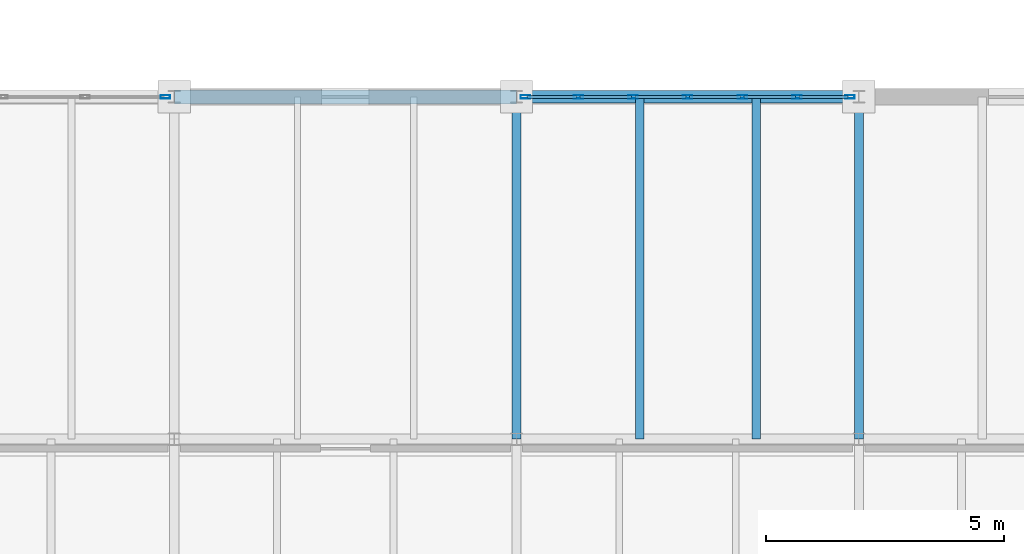
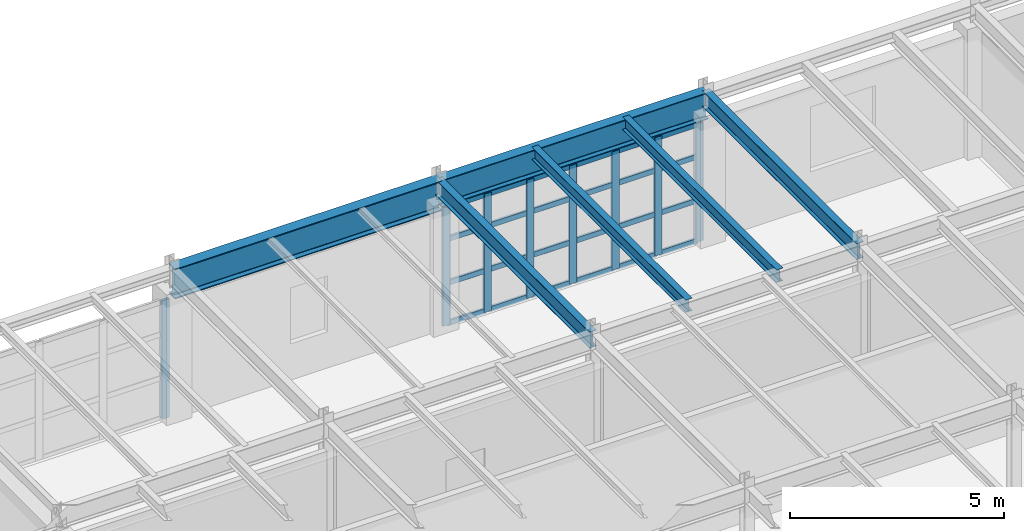
# One storey, part 44 of 137: 32 members, 6 beams, 2 elements without a shape of their own.
"""IFC4 building model written with IfcOpenShell, lengths in metres."""

from ifc_helpers import new_model, si_unit, direction, frame, origin, origin_2d, place, context, subcontext, project, spatial, hollow_rectangle, i_section, extrude, material, layer, layer_set, material_profile, profile_set, type_object, element, aggregate, save


model = new_model("IFC4")

# Units and contexts
model_context = context("Model", 3, precision=1e-05, world=origin(), true_north=direction((0.0, 1.0)))
body_context = subcontext(model_context, "Body", "Model", "MODEL_VIEW")
ifc_project = project(units=[si_unit("LENGTHUNIT", "METRE"), si_unit("AREAUNIT", "SQUARE_METRE"), si_unit("VOLUMEUNIT", "CUBIC_METRE"), si_unit("PLANEANGLEUNIT", "RADIAN"), si_unit("MASSUNIT", "GRAM", prefix="KILO")], contexts=[model_context])

# Site, building, storey
site_placement = place(None, origin())
site = spatial("IfcSite", under=ifc_project, at=site_placement, CompositionType="ELEMENT")
building_placement = place(site_placement, origin())
building = spatial("IfcBuilding", under=site, at=building_placement, Name="Kemerveld Promenade Tramway Depot", CompositionType="ELEMENT")
storey_placement = place(building_placement, frame((0.0, 0.0, 5.39990234375)))
storey = spatial("IfcBuildingStorey", under=building, at=storey_placement, Name="L01", CompositionType="ELEMENT", Elevation=5.39990234375)

# Beams
ifc_material_1 = material(Name="Steel S355", Category="steel")
ifc_material_profile_1 = material_profile(ifc_material_1, i_section(OverallWidth=0.293701171875, OverallDepth=0.850830078125, WebThickness=0.01611328125, FlangeThickness=0.02685546875, FilletRadius=0.017822265625, at=origin_2d()), Name="838x292x226 UB")
ifc_profile_set_1 = profile_set([ifc_material_profile_1], Name="Steel S355")
beam_type_1 = type_object("IfcBeamType", Name="BM-G01", PredefinedType="BEAM", material=ifc_profile_set_1)
beam_1_placement = place(storey_placement, frame((64.800048828125, 28.800048828125, 3.82470703125), z_axis=(1.0, 0.0, 0.0), x_axis=(0.0, 1.0, 0.0)))
element("IfcBeam", 1, at=beam_1_placement, inside=storey, type_object=beam_type_1, Name="BMX-L01-10-11-E", PredefinedType="BEAM", context=body_context, shape_type="SweptSolid", body=[
    extrude(i_section(OverallWidth=0.293701171875, OverallDepth=0.850830078125, WebThickness=0.01611328125, FlangeThickness=0.02685546875, FilletRadius=0.017822265625, at=origin_2d()), origin(), (0.0, 0.0, 1.0), 7.199951171875),
])
ifc_material_profile_2 = material_profile(ifc_material_1, i_section(OverallWidth=0.2666015625, OverallDepth=0.76220703125, WebThickness=0.014404296875, FlangeThickness=0.021484375, FilletRadius=0.0166015625, at=origin_2d()), Name="762x267x173 UB")
ifc_profile_set_2 = profile_set([ifc_material_profile_2], Name="Steel S355")
beam_type_2 = type_object("IfcBeamType", Name="BM-G02", PredefinedType="BEAM", material=ifc_profile_set_2)
beam_2_placement = place(storey_placement, frame((72.0, 28.800048828125, 3.868896484375), z_axis=(1.0, 0.0, 0.0), x_axis=(0.0, 1.0, 0.0)))
element("IfcBeam", 2, at=beam_2_placement, inside=storey, type_object=beam_type_2, Name="BMX-L01-11-12-E", PredefinedType="BEAM", context=body_context, shape_type="SweptSolid", body=[
    extrude(i_section(OverallWidth=0.2666015625, OverallDepth=0.76220703125, WebThickness=0.014404296875, FlangeThickness=0.021484375, FilletRadius=0.0166015625, at=origin_2d()), origin(), (0.0, 0.0, 1.0), 7.199951171875),
])
ifc_material_profile_3 = material_profile(ifc_material_1, i_section(OverallWidth=0.19140625, OverallDepth=0.4599609375, WebThickness=0.010009765625, FlangeThickness=0.01611328125, FilletRadius=0.01025390625, at=origin_2d()), Name="457x191x82 UB")
ifc_profile_set_3 = profile_set([ifc_material_profile_3], Name="Steel S355")
beam_type_3 = type_object("IfcBeamType", Name="BM-G06", PredefinedType="BEAM", material=ifc_profile_set_3)
for number, where, z_axis, x_axis, name in (
    (3, (72.0, 21.60009765625, 4.02001953125), (0.0, 1.0, 0.0), (-1.0, 0.0, 0.0), "BMY-L01-11-D-E"),
    (4, (79.199951171875, 21.60009765625, 4.02001953125), (0.0, 1.0, 0.0), (-1.0, 0.0, 0.0), "BMY-L01-12-D-E"),
):
    element("IfcBeam", number, at=place(storey_placement, frame(where, z_axis=z_axis, x_axis=x_axis)), inside=storey, type_object=beam_type_3, Name=name, PredefinedType="BEAM", context=body_context, shape_type="SweptSolid", body=[
        extrude(i_section(OverallWidth=0.19140625, OverallDepth=0.4599609375, WebThickness=0.010009765625, FlangeThickness=0.01611328125, FilletRadius=0.01025390625, at=origin_2d()), origin(), (0.0, 0.0, 1.0), 7.199951171875),
    ])
ifc_material_profile_4 = material_profile(ifc_material_1, i_section(OverallWidth=0.172119140625, OverallDepth=0.35791015625, WebThickness=0.008056640625, FlangeThickness=0.012939453125, FilletRadius=0.01025390625, at=origin_2d()), Name="356x171x57 UB")
ifc_profile_set_4 = profile_set([ifc_material_profile_4], Name="Steel S355")
beam_type_4 = type_object("IfcBeamType", Name="BM-J04", PredefinedType="JOIST", material=ifc_profile_set_4)
for number, where, z_axis, x_axis, name in (
    (5, (74.592041015625, 21.60009765625, 4.071044921875), (0.0, 1.0, 0.0), (-1.0, 0.0, 0.0), "JST-L01-11-D-1"),
    (6, (77.0400390625, 21.60009765625, 4.071044921875), (0.0, 1.0, 0.0), (-1.0, 0.0, 0.0), "JST-L01-11-D-2"),
):
    element("IfcBeam", number, at=place(storey_placement, frame(where, z_axis=z_axis, x_axis=x_axis)), inside=storey, type_object=beam_type_4, Name=name, PredefinedType="JOIST", context=body_context, shape_type="SweptSolid", body=[
        extrude(i_section(OverallWidth=0.172119140625, OverallDepth=0.35791015625, WebThickness=0.008056640625, FlangeThickness=0.012939453125, FilletRadius=0.01025390625, at=origin_2d()), origin(), (0.0, 0.0, 1.0), 7.199951171875),
    ])

# Curtain wall, member
ifc_material_2 = material(Name="Bronze anodised aluminium and solar glass", Category="aluminium")
ifc_layer_1 = layer(ifc_material_2, 0.199951171875)
ifc_layer_set_1 = layer_set([ifc_layer_1], Name="CW-SYS-04")
curtain_wall_type_1 = type_object("IfcCurtainWallType", Name="CW-SYS-04", PredefinedType="USERDEFINED", material=ifc_layer_set_1)
curtain_wall_1_placement = place(storey_placement, origin())
curtain_wall_1 = element("IfcCurtainWall", 7, at=curtain_wall_1_placement, inside=storey, type_object=curtain_wall_type_1, Name="CW-L01-V4N-01", ObjectType="GLAZED_CURTAIN_WALL", PredefinedType="USERDEFINED")
ifc_material_3 = material(Name="Bronze anodised aluminium", Category="aluminium")
ifc_material_profile_5 = material_profile(ifc_material_3, hollow_rectangle(XDim=0.074951171875, YDim=0.199951171875, WallThickness=0.0048828125, InnerFilletRadius=0.001953125, OuterFilletRadius=0.0048828125, at=origin_2d()), Name="CW-MUL-200x75")
ifc_profile_set_5 = profile_set([ifc_material_profile_5], Name="Bronze anodised aluminium")
member_type_1 = type_object("IfcMemberType", Name="CW-MUL-B", PredefinedType="MULLION", material=ifc_profile_set_5)
member_1_placement = place(storey_placement, frame((64.6123046875, 28.800048828125, 0.0), z_axis=(0.0, 0.0, 1.0), x_axis=(0.0, 1.0, 0.0)))
member_1 = element("IfcMember", 8, at=member_1_placement, type_object=member_type_1, Name="CW04 mullion 5", PredefinedType="MULLION", context=body_context, shape_type="SweptSolid", body=[
    extrude(hollow_rectangle(XDim=0.074951171875, YDim=0.199951171875, WallThickness=0.0048828125, InnerFilletRadius=0.001953125, OuterFilletRadius=0.0048828125, at=origin_2d()), origin(), (0.0, 0.0, 1.0), 3.37939453125),
])
aggregate(curtain_wall_1, [member_1])

# Curtain wall, members
ifc_layer_2 = layer(ifc_material_2, 0.199951171875)
ifc_layer_set_2 = layer_set([ifc_layer_2], Name="CW-SYS-06")
curtain_wall_type_2 = type_object("IfcCurtainWallType", Name="CW-SYS-06", PredefinedType="USERDEFINED", material=ifc_layer_set_2)
curtain_wall_2_placement = place(storey_placement, origin())
curtain_wall_2 = element("IfcCurtainWall", 9, at=curtain_wall_2_placement, inside=storey, type_object=curtain_wall_type_2, Name="CW-L01-V4N-03", ObjectType="GLAZED_CURTAIN_WALL", PredefinedType="USERDEFINED")
member_2_placement = place(storey_placement, frame((72.1875, 28.800048828125, 0.0), z_axis=(0.0, 0.0, 1.0), x_axis=(0.0, 1.0, 0.0)))
member_2 = element("IfcMember", 10, at=member_2_placement, type_object=member_type_1, Name="CW06 mullion 1", PredefinedType="MULLION", context=body_context, shape_type="SweptSolid", body=[
    extrude(hollow_rectangle(XDim=0.074951171875, YDim=0.199951171875, WallThickness=0.0048828125, InnerFilletRadius=0.001953125, OuterFilletRadius=0.0048828125, at=origin_2d()), origin(), (0.0, 0.0, 1.0), 3.37939453125),
])
member_3_placement = place(storey_placement, frame((73.300048828125, 28.800048828125, 0.0), z_axis=(0.0, 0.0, 1.0), x_axis=(0.0, 1.0, 0.0)))
member_3 = element("IfcMember", 11, at=member_3_placement, type_object=member_type_1, Name="CW06 mullion 2", PredefinedType="MULLION", context=body_context, shape_type="SweptSolid", body=[
    extrude(hollow_rectangle(XDim=0.074951171875, YDim=0.199951171875, WallThickness=0.0048828125, InnerFilletRadius=0.001953125, OuterFilletRadius=0.0048828125, at=origin_2d()), origin(), (0.0, 0.0, 1.0), 3.37939453125),
])
member_4_placement = place(storey_placement, frame((74.449951171875, 28.800048828125, 0.0), z_axis=(0.0, 0.0, 1.0), x_axis=(0.0, 1.0, 0.0)))
member_4 = element("IfcMember", 12, at=member_4_placement, type_object=member_type_1, Name="CW06 mullion 3", PredefinedType="MULLION", context=body_context, shape_type="SweptSolid", body=[
    extrude(hollow_rectangle(XDim=0.074951171875, YDim=0.199951171875, WallThickness=0.0048828125, InnerFilletRadius=0.001953125, OuterFilletRadius=0.0048828125, at=origin_2d()), origin(), (0.0, 0.0, 1.0), 3.37939453125),
])
member_5_placement = place(storey_placement, frame((75.60009765625, 28.800048828125, 0.0), z_axis=(0.0, 0.0, 1.0), x_axis=(0.0, 1.0, 0.0)))
member_5 = element("IfcMember", 13, at=member_5_placement, type_object=member_type_1, Name="CW06 mullion 4", PredefinedType="MULLION", context=body_context, shape_type="SweptSolid", body=[
    extrude(hollow_rectangle(XDim=0.074951171875, YDim=0.199951171875, WallThickness=0.0048828125, InnerFilletRadius=0.001953125, OuterFilletRadius=0.0048828125, at=origin_2d()), origin(), (0.0, 0.0, 1.0), 3.37939453125),
])
member_6_placement = place(storey_placement, frame((76.75, 28.800048828125, 0.0), z_axis=(0.0, 0.0, 1.0), x_axis=(0.0, 1.0, 0.0)))
member_6 = element("IfcMember", 14, at=member_6_placement, type_object=member_type_1, Name="CW06 mullion 5", PredefinedType="MULLION", context=body_context, shape_type="SweptSolid", body=[
    extrude(hollow_rectangle(XDim=0.074951171875, YDim=0.199951171875, WallThickness=0.0048828125, InnerFilletRadius=0.001953125, OuterFilletRadius=0.0048828125, at=origin_2d()), origin(), (0.0, 0.0, 1.0), 3.37939453125),
])
member_7_placement = place(storey_placement, frame((77.89990234375, 28.800048828125, 0.0), z_axis=(0.0, 0.0, 1.0), x_axis=(0.0, 1.0, 0.0)))
member_7 = element("IfcMember", 15, at=member_7_placement, type_object=member_type_1, Name="CW06 mullion 6", PredefinedType="MULLION", context=body_context, shape_type="SweptSolid", body=[
    extrude(hollow_rectangle(XDim=0.074951171875, YDim=0.199951171875, WallThickness=0.0048828125, InnerFilletRadius=0.001953125, OuterFilletRadius=0.0048828125, at=origin_2d()), origin(), (0.0, 0.0, 1.0), 3.37939453125),
])
member_8_placement = place(storey_placement, frame((79.012451171875, 28.800048828125, 0.0), z_axis=(0.0, 0.0, 1.0), x_axis=(0.0, 1.0, 0.0)))
member_8 = element("IfcMember", 16, at=member_8_placement, type_object=member_type_1, Name="CW06 mullion 7", PredefinedType="MULLION", context=body_context, shape_type="SweptSolid", body=[
    extrude(hollow_rectangle(XDim=0.074951171875, YDim=0.199951171875, WallThickness=0.0048828125, InnerFilletRadius=0.001953125, OuterFilletRadius=0.0048828125, at=origin_2d()), origin(), (0.0, 0.0, 1.0), 3.37939453125),
])
ifc_material_profile_6 = material_profile(ifc_material_3, hollow_rectangle(XDim=0.06494140625, YDim=0.14990234375, WallThickness=0.00439453125, InnerFilletRadius=0.001953125, OuterFilletRadius=0.00439453125, at=origin_2d()), Name="CW-TRN-150x65")
ifc_profile_set_6 = profile_set([ifc_material_profile_6], Name="Bronze anodised aluminium")
member_type_2 = type_object("IfcMemberType", Name="CW-TRN-B", PredefinedType="USERDEFINED", material=ifc_profile_set_6)
member_9_placement = place(storey_placement, frame((72.22509765625, 28.800048828125, 0.03271484375), z_axis=(1.0, 0.0, 0.0), x_axis=(0.0, 1.0, 0.0)))
member_9 = element("IfcMember", 17, at=member_9_placement, type_object=member_type_2, Name="CW06 transom 1.1", ObjectType="TRANSOM", PredefinedType="USERDEFINED", context=body_context, shape_type="SweptSolid", body=[
    extrude(hollow_rectangle(XDim=0.06494140625, YDim=0.14990234375, WallThickness=0.00439453125, InnerFilletRadius=0.001953125, OuterFilletRadius=0.00439453125, at=origin_2d()), origin(), (0.0, 0.0, 1.0), 1.037353515625),
])
member_10_placement = place(storey_placement, frame((72.22509765625, 28.800048828125, 1.18310546875), z_axis=(1.0, 0.0, 0.0), x_axis=(0.0, 1.0, 0.0)))
member_10 = element("IfcMember", 18, at=member_10_placement, type_object=member_type_2, Name="CW06 transom 1.2", ObjectType="TRANSOM", PredefinedType="USERDEFINED", context=body_context, shape_type="SweptSolid", body=[
    extrude(hollow_rectangle(XDim=0.06494140625, YDim=0.14990234375, WallThickness=0.00439453125, InnerFilletRadius=0.001953125, OuterFilletRadius=0.00439453125, at=origin_2d()), origin(), (0.0, 0.0, 1.0), 1.037353515625),
])
member_11_placement = place(storey_placement, frame((72.22509765625, 28.800048828125, 2.43310546875), z_axis=(1.0, 0.0, 0.0), x_axis=(0.0, 1.0, 0.0)))
member_11 = element("IfcMember", 19, at=member_11_placement, type_object=member_type_2, Name="CW06 transom 1.3", ObjectType="TRANSOM", PredefinedType="USERDEFINED", context=body_context, shape_type="SweptSolid", body=[
    extrude(hollow_rectangle(XDim=0.06494140625, YDim=0.14990234375, WallThickness=0.00439453125, InnerFilletRadius=0.001953125, OuterFilletRadius=0.00439453125, at=origin_2d()), origin(), (0.0, 0.0, 1.0), 1.037353515625),
])
member_12_placement = place(storey_placement, frame((72.22509765625, 28.800048828125, 3.3466796875), z_axis=(1.0, 0.0, 0.0), x_axis=(0.0, 1.0, 0.0)))
member_12 = element("IfcMember", 20, at=member_12_placement, type_object=member_type_2, Name="CW06 transom 1.4", ObjectType="TRANSOM", PredefinedType="USERDEFINED", context=body_context, shape_type="SweptSolid", body=[
    extrude(hollow_rectangle(XDim=0.06494140625, YDim=0.14990234375, WallThickness=0.00439453125, InnerFilletRadius=0.001953125, OuterFilletRadius=0.00439453125, at=origin_2d()), origin(), (0.0, 0.0, 1.0), 1.037353515625),
])
member_13_placement = place(storey_placement, frame((73.337646484375, 28.800048828125, 0.03271484375), z_axis=(1.0, 0.0, 0.0), x_axis=(0.0, 1.0, 0.0)))
member_13 = element("IfcMember", 21, at=member_13_placement, type_object=member_type_2, Name="CW06 transom 2.1", ObjectType="TRANSOM", PredefinedType="USERDEFINED", context=body_context, shape_type="SweptSolid", body=[
    extrude(hollow_rectangle(XDim=0.06494140625, YDim=0.14990234375, WallThickness=0.00439453125, InnerFilletRadius=0.001953125, OuterFilletRadius=0.00439453125, at=origin_2d()), origin(), (0.0, 0.0, 1.0), 1.074951171875),
])
member_14_placement = place(storey_placement, frame((73.337646484375, 28.800048828125, 1.18310546875), z_axis=(1.0, 0.0, 0.0), x_axis=(0.0, 1.0, 0.0)))
member_14 = element("IfcMember", 22, at=member_14_placement, type_object=member_type_2, Name="CW06 transom 2.2", ObjectType="TRANSOM", PredefinedType="USERDEFINED", context=body_context, shape_type="SweptSolid", body=[
    extrude(hollow_rectangle(XDim=0.06494140625, YDim=0.14990234375, WallThickness=0.00439453125, InnerFilletRadius=0.001953125, OuterFilletRadius=0.00439453125, at=origin_2d()), origin(), (0.0, 0.0, 1.0), 1.074951171875),
])
member_15_placement = place(storey_placement, frame((73.337646484375, 28.800048828125, 2.43310546875), z_axis=(1.0, 0.0, 0.0), x_axis=(0.0, 1.0, 0.0)))
member_15 = element("IfcMember", 23, at=member_15_placement, type_object=member_type_2, Name="CW06 transom 2.3", ObjectType="TRANSOM", PredefinedType="USERDEFINED", context=body_context, shape_type="SweptSolid", body=[
    extrude(hollow_rectangle(XDim=0.06494140625, YDim=0.14990234375, WallThickness=0.00439453125, InnerFilletRadius=0.001953125, OuterFilletRadius=0.00439453125, at=origin_2d()), origin(), (0.0, 0.0, 1.0), 1.074951171875),
])
member_16_placement = place(storey_placement, frame((73.337646484375, 28.800048828125, 3.3466796875), z_axis=(1.0, 0.0, 0.0), x_axis=(0.0, 1.0, 0.0)))
member_16 = element("IfcMember", 24, at=member_16_placement, type_object=member_type_2, Name="CW06 transom 2.4", ObjectType="TRANSOM", PredefinedType="USERDEFINED", context=body_context, shape_type="SweptSolid", body=[
    extrude(hollow_rectangle(XDim=0.06494140625, YDim=0.14990234375, WallThickness=0.00439453125, InnerFilletRadius=0.001953125, OuterFilletRadius=0.00439453125, at=origin_2d()), origin(), (0.0, 0.0, 1.0), 1.074951171875),
])
member_17_placement = place(storey_placement, frame((74.487548828125, 28.800048828125, 0.03271484375), z_axis=(1.0, 0.0, 0.0), x_axis=(0.0, 1.0, 0.0)))
member_17 = element("IfcMember", 25, at=member_17_placement, type_object=member_type_2, Name="CW06 transom 3.1", ObjectType="TRANSOM", PredefinedType="USERDEFINED", context=body_context, shape_type="SweptSolid", body=[
    extrude(hollow_rectangle(XDim=0.06494140625, YDim=0.14990234375, WallThickness=0.00439453125, InnerFilletRadius=0.001953125, OuterFilletRadius=0.00439453125, at=origin_2d()), origin(), (0.0, 0.0, 1.0), 1.074951171875),
])
member_18_placement = place(storey_placement, frame((74.487548828125, 28.800048828125, 1.18310546875), z_axis=(1.0, 0.0, 0.0), x_axis=(0.0, 1.0, 0.0)))
member_18 = element("IfcMember", 26, at=member_18_placement, type_object=member_type_2, Name="CW06 transom 3.2", ObjectType="TRANSOM", PredefinedType="USERDEFINED", context=body_context, shape_type="SweptSolid", body=[
    extrude(hollow_rectangle(XDim=0.06494140625, YDim=0.14990234375, WallThickness=0.00439453125, InnerFilletRadius=0.001953125, OuterFilletRadius=0.00439453125, at=origin_2d()), origin(), (0.0, 0.0, 1.0), 1.074951171875),
])
member_19_placement = place(storey_placement, frame((74.487548828125, 28.800048828125, 2.43310546875), z_axis=(1.0, 0.0, 0.0), x_axis=(0.0, 1.0, 0.0)))
member_19 = element("IfcMember", 27, at=member_19_placement, type_object=member_type_2, Name="CW06 transom 3.3", ObjectType="TRANSOM", PredefinedType="USERDEFINED", context=body_context, shape_type="SweptSolid", body=[
    extrude(hollow_rectangle(XDim=0.06494140625, YDim=0.14990234375, WallThickness=0.00439453125, InnerFilletRadius=0.001953125, OuterFilletRadius=0.00439453125, at=origin_2d()), origin(), (0.0, 0.0, 1.0), 1.074951171875),
])
member_20_placement = place(storey_placement, frame((74.487548828125, 28.800048828125, 3.3466796875), z_axis=(1.0, 0.0, 0.0), x_axis=(0.0, 1.0, 0.0)))
member_20 = element("IfcMember", 28, at=member_20_placement, type_object=member_type_2, Name="CW06 transom 3.4", ObjectType="TRANSOM", PredefinedType="USERDEFINED", context=body_context, shape_type="SweptSolid", body=[
    extrude(hollow_rectangle(XDim=0.06494140625, YDim=0.14990234375, WallThickness=0.00439453125, InnerFilletRadius=0.001953125, OuterFilletRadius=0.00439453125, at=origin_2d()), origin(), (0.0, 0.0, 1.0), 1.074951171875),
])
member_21_placement = place(storey_placement, frame((75.637451171875, 28.800048828125, 0.03271484375), z_axis=(1.0, 0.0, 0.0), x_axis=(0.0, 1.0, 0.0)))
member_21 = element("IfcMember", 29, at=member_21_placement, type_object=member_type_2, Name="CW06 transom 4.1", ObjectType="TRANSOM", PredefinedType="USERDEFINED", context=body_context, shape_type="SweptSolid", body=[
    extrude(hollow_rectangle(XDim=0.06494140625, YDim=0.14990234375, WallThickness=0.00439453125, InnerFilletRadius=0.001953125, OuterFilletRadius=0.00439453125, at=origin_2d()), origin(), (0.0, 0.0, 1.0), 1.074951171875),
])
member_22_placement = place(storey_placement, frame((75.637451171875, 28.800048828125, 1.18310546875), z_axis=(1.0, 0.0, 0.0), x_axis=(0.0, 1.0, 0.0)))
member_22 = element("IfcMember", 30, at=member_22_placement, type_object=member_type_2, Name="CW06 transom 4.2", ObjectType="TRANSOM", PredefinedType="USERDEFINED", context=body_context, shape_type="SweptSolid", body=[
    extrude(hollow_rectangle(XDim=0.06494140625, YDim=0.14990234375, WallThickness=0.00439453125, InnerFilletRadius=0.001953125, OuterFilletRadius=0.00439453125, at=origin_2d()), origin(), (0.0, 0.0, 1.0), 1.074951171875),
])
member_23_placement = place(storey_placement, frame((75.637451171875, 28.800048828125, 2.43310546875), z_axis=(1.0, 0.0, 0.0), x_axis=(0.0, 1.0, 0.0)))
member_23 = element("IfcMember", 31, at=member_23_placement, type_object=member_type_2, Name="CW06 transom 4.3", ObjectType="TRANSOM", PredefinedType="USERDEFINED", context=body_context, shape_type="SweptSolid", body=[
    extrude(hollow_rectangle(XDim=0.06494140625, YDim=0.14990234375, WallThickness=0.00439453125, InnerFilletRadius=0.001953125, OuterFilletRadius=0.00439453125, at=origin_2d()), origin(), (0.0, 0.0, 1.0), 1.074951171875),
])
member_24_placement = place(storey_placement, frame((75.637451171875, 28.800048828125, 3.3466796875), z_axis=(1.0, 0.0, 0.0), x_axis=(0.0, 1.0, 0.0)))
member_24 = element("IfcMember", 32, at=member_24_placement, type_object=member_type_2, Name="CW06 transom 4.4", ObjectType="TRANSOM", PredefinedType="USERDEFINED", context=body_context, shape_type="SweptSolid", body=[
    extrude(hollow_rectangle(XDim=0.06494140625, YDim=0.14990234375, WallThickness=0.00439453125, InnerFilletRadius=0.001953125, OuterFilletRadius=0.00439453125, at=origin_2d()), origin(), (0.0, 0.0, 1.0), 1.074951171875),
])
member_25_placement = place(storey_placement, frame((76.787353515625, 28.800048828125, 0.03271484375), z_axis=(1.0, 0.0, 0.0), x_axis=(0.0, 1.0, 0.0)))
member_25 = element("IfcMember", 33, at=member_25_placement, type_object=member_type_2, Name="CW06 transom 5.1", ObjectType="TRANSOM", PredefinedType="USERDEFINED", context=body_context, shape_type="SweptSolid", body=[
    extrude(hollow_rectangle(XDim=0.06494140625, YDim=0.14990234375, WallThickness=0.00439453125, InnerFilletRadius=0.001953125, OuterFilletRadius=0.00439453125, at=origin_2d()), origin(), (0.0, 0.0, 1.0), 1.0751953125),
])
member_26_placement = place(storey_placement, frame((76.787353515625, 28.800048828125, 1.18310546875), z_axis=(1.0, 0.0, 0.0), x_axis=(0.0, 1.0, 0.0)))
member_26 = element("IfcMember", 34, at=member_26_placement, type_object=member_type_2, Name="CW06 transom 5.2", ObjectType="TRANSOM", PredefinedType="USERDEFINED", context=body_context, shape_type="SweptSolid", body=[
    extrude(hollow_rectangle(XDim=0.06494140625, YDim=0.14990234375, WallThickness=0.00439453125, InnerFilletRadius=0.001953125, OuterFilletRadius=0.00439453125, at=origin_2d()), origin(), (0.0, 0.0, 1.0), 1.0751953125),
])
member_27_placement = place(storey_placement, frame((76.787353515625, 28.800048828125, 2.43310546875), z_axis=(1.0, 0.0, 0.0), x_axis=(0.0, 1.0, 0.0)))
member_27 = element("IfcMember", 35, at=member_27_placement, type_object=member_type_2, Name="CW06 transom 5.3", ObjectType="TRANSOM", PredefinedType="USERDEFINED", context=body_context, shape_type="SweptSolid", body=[
    extrude(hollow_rectangle(XDim=0.06494140625, YDim=0.14990234375, WallThickness=0.00439453125, InnerFilletRadius=0.001953125, OuterFilletRadius=0.00439453125, at=origin_2d()), origin(), (0.0, 0.0, 1.0), 1.0751953125),
])
member_28_placement = place(storey_placement, frame((76.787353515625, 28.800048828125, 3.3466796875), z_axis=(1.0, 0.0, 0.0), x_axis=(0.0, 1.0, 0.0)))
member_28 = element("IfcMember", 36, at=member_28_placement, type_object=member_type_2, Name="CW06 transom 5.4", ObjectType="TRANSOM", PredefinedType="USERDEFINED", context=body_context, shape_type="SweptSolid", body=[
    extrude(hollow_rectangle(XDim=0.06494140625, YDim=0.14990234375, WallThickness=0.00439453125, InnerFilletRadius=0.001953125, OuterFilletRadius=0.00439453125, at=origin_2d()), origin(), (0.0, 0.0, 1.0), 1.0751953125),
])
member_29_placement = place(storey_placement, frame((77.9375, 28.800048828125, 0.03271484375), z_axis=(1.0, 0.0, 0.0), x_axis=(0.0, 1.0, 0.0)))
member_29 = element("IfcMember", 37, at=member_29_placement, type_object=member_type_2, Name="CW06 transom 6.1", ObjectType="TRANSOM", PredefinedType="USERDEFINED", context=body_context, shape_type="SweptSolid", body=[
    extrude(hollow_rectangle(XDim=0.06494140625, YDim=0.14990234375, WallThickness=0.00439453125, InnerFilletRadius=0.001953125, OuterFilletRadius=0.00439453125, at=origin_2d()), origin(), (0.0, 0.0, 1.0), 1.037353515625),
])
member_30_placement = place(storey_placement, frame((77.9375, 28.800048828125, 1.18310546875), z_axis=(1.0, 0.0, 0.0), x_axis=(0.0, 1.0, 0.0)))
member_30 = element("IfcMember", 38, at=member_30_placement, type_object=member_type_2, Name="CW06 transom 6.2", ObjectType="TRANSOM", PredefinedType="USERDEFINED", context=body_context, shape_type="SweptSolid", body=[
    extrude(hollow_rectangle(XDim=0.06494140625, YDim=0.14990234375, WallThickness=0.00439453125, InnerFilletRadius=0.001953125, OuterFilletRadius=0.00439453125, at=origin_2d()), origin(), (0.0, 0.0, 1.0), 1.037353515625),
])
member_31_placement = place(storey_placement, frame((77.9375, 28.800048828125, 2.43310546875), z_axis=(1.0, 0.0, 0.0), x_axis=(0.0, 1.0, 0.0)))
member_31 = element("IfcMember", 39, at=member_31_placement, type_object=member_type_2, Name="CW06 transom 6.3", ObjectType="TRANSOM", PredefinedType="USERDEFINED", context=body_context, shape_type="SweptSolid", body=[
    extrude(hollow_rectangle(XDim=0.06494140625, YDim=0.14990234375, WallThickness=0.00439453125, InnerFilletRadius=0.001953125, OuterFilletRadius=0.00439453125, at=origin_2d()), origin(), (0.0, 0.0, 1.0), 1.037353515625),
])
member_32_placement = place(storey_placement, frame((77.9375, 28.800048828125, 3.3466796875), z_axis=(1.0, 0.0, 0.0), x_axis=(0.0, 1.0, 0.0)))
member_32 = element("IfcMember", 40, at=member_32_placement, type_object=member_type_2, Name="CW06 transom 6.4", ObjectType="TRANSOM", PredefinedType="USERDEFINED", context=body_context, shape_type="SweptSolid", body=[
    extrude(hollow_rectangle(XDim=0.06494140625, YDim=0.14990234375, WallThickness=0.00439453125, InnerFilletRadius=0.001953125, OuterFilletRadius=0.00439453125, at=origin_2d()), origin(), (0.0, 0.0, 1.0), 1.037353515625),
])
aggregate(curtain_wall_2, [member_2, member_3, member_4, member_5, member_6, member_7, member_8, member_9, member_10, member_11, member_12, member_13, member_14, member_15, member_16, member_17, member_18, member_19, member_20, member_21, member_22, member_23, member_24, member_25, member_26, member_27, member_28, member_29, member_30, member_31, member_32])

save(model, "model.ifc")
